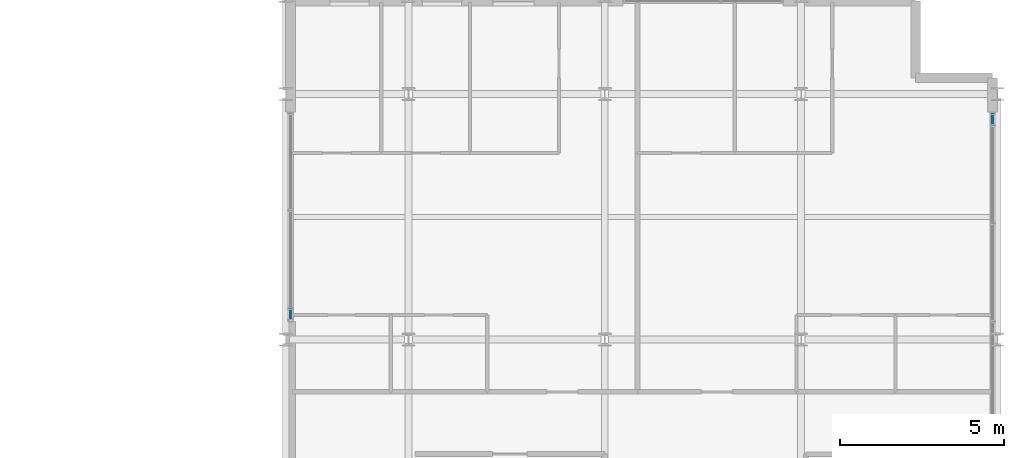
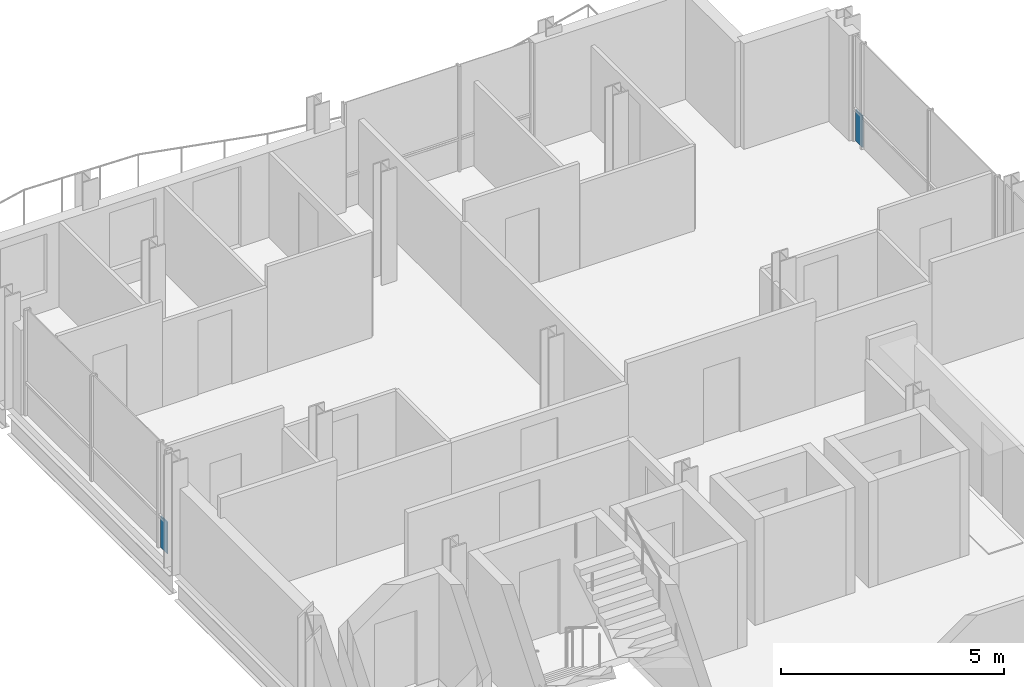
# One storey, part 21 of 27: 2 plates, 2 elements without a shape of their own.
"""IFC4 building model written with IfcOpenShell, lengths in metres."""

import ifcopenshell
import ifcopenshell.guid

model = None  # the IFC model being written
_history = None  # IfcOwnerHistory: only IFC2X3 demands one
_inside = {}  # id of a spatial element -> (the spatial element, [elements in it])
_under = {}  # id of a project, library or spatial element -> (it, [spatial elements below it])
_declared = {}  # id of a project -> (the project, [libraries it declares])
_typed = {}  # id of a type object -> (the type object, [elements of that type])
_made_of = {}  # id of a material, layer set ... -> (it, [elements and type objects made of it])


def new_model(schema):
    """Start an empty IFC model of exactly this schema.

    Asked for "IFC4X3", IfcOpenShell would pick the latest addendum, in which some entities
    have other attributes; the version numbers below select the first issue.
    IFC2X3 requires an IfcOwnerHistory on every rooted entity: one is made here for all.
    """
    global model, _history
    if schema == "IFC4X3":
        model = ifcopenshell.file(schema_version=(4, 3, 0, 0))
    else:
        model = ifcopenshell.file(schema=schema)
    _inside.clear()
    _under.clear()
    _declared.clear()
    _typed.clear()
    _made_of.clear()
    _history = None
    if model.schema == "IFC2X3":
        org = make("IfcOrganization", Name="unknown")
        user = make(
            "IfcPersonAndOrganization",
            ThePerson=make("IfcPerson", FamilyName="unknown"),
            TheOrganization=org,
        )
        app = make(
            "IfcApplication",
            ApplicationDeveloper=org,
            Version="unknown",
            ApplicationFullName="unknown",
            ApplicationIdentifier="unknown",
        )
        _history = make(
            "IfcOwnerHistory",
            OwningUser=user,
            OwningApplication=app,
            ChangeAction="ADDED",
            CreationDate=0,
        )
    return model


def make(cls, **values):
    """One entity of the class cls with the attributes given. An attribute that is None is left unset."""
    return model.create_entity(
        cls, **{name: value for name, value in values.items() if value is not None}
    )


def rooted(cls, **values):
    """An entity with a GlobalId (a new one), such as an element, a storey or a relation."""
    return make(cls, GlobalId=ifcopenshell.guid.new(), OwnerHistory=_history, **values)


def si_unit(unit_type, name, prefix=None):
    """IfcSIUnit, for example si_unit("LENGTHUNIT", "METRE", prefix="MILLI")."""
    return make("IfcSIUnit", UnitType=unit_type, Prefix=prefix, Name=name)


def assignment(units):
    """IfcUnitAssignment: the units of a project."""
    return None if units is None else make("IfcUnitAssignment", Units=units)


def point(xyz):
    """IfcCartesianPoint."""
    return None if xyz is None else make("IfcCartesianPoint", Coordinates=xyz)


def direction(xyz):
    """IfcDirection."""
    return None if xyz is None else make("IfcDirection", DirectionRatios=xyz)


def frame(location, z_axis=None, x_axis=None):
    """IfcAxis2Placement3D, a coordinate frame: its origin and axes. An axis left out is left unset."""
    return make(
        "IfcAxis2Placement3D",
        Location=point(location),
        Axis=direction(z_axis),
        RefDirection=direction(x_axis),
    )


def frame_2d(location, x_axis=None):
    """IfcAxis2Placement2D, a coordinate frame in the plane: its origin and x axis."""
    return make(
        "IfcAxis2Placement2D", Location=point(location), RefDirection=direction(x_axis)
    )


def origin():
    """The frame at (0, 0, 0) with its axes left unset."""
    return frame((0.0, 0.0, 0.0))


def origin_2d():
    """The frame at (0, 0) in the plane with its x axis left unset."""
    return frame_2d((0.0, 0.0))


def place(relative_to, where):
    """IfcLocalPlacement: puts the frame where relative to a parent placement (None: the world)."""
    return make(
        "IfcLocalPlacement", PlacementRelTo=relative_to, RelativePlacement=where
    )


def context(
    kind, dimensions, precision=None, world=None, true_north=None, identifier=None
):
    """IfcGeometricRepresentationContext, for example the 3D "Model" context."""
    return make(
        "IfcGeometricRepresentationContext",
        ContextIdentifier=identifier,
        ContextType=kind,
        CoordinateSpaceDimension=dimensions,
        Precision=precision,
        WorldCoordinateSystem=world,
        TrueNorth=true_north,
    )


def subcontext(parent, identifier, kind, view, scale=None):
    """IfcGeometricRepresentationSubContext, for example "Body" below "Model"."""
    return make(
        "IfcGeometricRepresentationSubContext",
        ContextIdentifier=identifier,
        ContextType=kind,
        ParentContext=parent,
        TargetScale=scale,
        TargetView=view,
    )


def project(units=None, contexts=None):
    """IfcProject with its units and contexts."""
    return rooted(
        "IfcProject",
        Name="project",
        RepresentationContexts=contexts,
        UnitsInContext=assignment(units),
    )


def spatial(cls, under=None, at=None, **own):
    """A site, building, storey or space (cls), placed at a placement, below another one or the project."""
    s = rooted(cls, ObjectPlacement=at, **own)
    if under is not None:
        _under.setdefault(under.id(), (under, []))[1].append(s)
    return s


def profile(cls, at=None, kind="AREA", **sizes):
    """A parametric profile (cls). Its sizes go by their IFC names, for example OverallWidth=200.0."""
    return make(cls, ProfileType=kind, Position=at, **sizes)


def rectangle(**sizes):
    """IfcRectangleProfileDef."""
    return profile("IfcRectangleProfileDef", **sizes)


def extrude(swept, where, along, depth):
    """IfcExtrudedAreaSolid: the profile swept, set in the frame where, extruded along a direction by depth."""
    return make(
        "IfcExtrudedAreaSolid",
        SweptArea=swept,
        Position=where,
        ExtrudedDirection=direction(along),
        Depth=depth,
    )


def shape(context_of_items, identifier, shape_type, items):
    """IfcShapeRepresentation: the items that make up one representation, for example the "Body"."""
    return make(
        "IfcShapeRepresentation",
        ContextOfItems=context_of_items,
        RepresentationIdentifier=identifier,
        RepresentationType=shape_type,
        Items=items,
    )


def material(Name=None, Category=None):
    """IfcMaterial."""
    return make("IfcMaterial", Name=Name, Category=Category)


def layer(
    of_material, thickness, ventilated=None, Name=None, Category=None, Priority=None
):
    """IfcMaterialLayer: one layer of a wall or slab, of a material (None: an air gap)."""
    return make(
        "IfcMaterialLayer",
        Material=of_material,
        LayerThickness=thickness,
        IsVentilated=ventilated,
        Name=Name,
        Category=Category,
        Priority=Priority,
    )


def layer_set(layers, Name=None):
    """IfcMaterialLayerSet."""
    return make("IfcMaterialLayerSet", MaterialLayers=layers, LayerSetName=Name)


def made_of(thing, what):
    """Note that an element or type object is made of a material, layer set ...; save() writes the relation."""
    if what is not None:
        _made_of.setdefault(what.id(), (what, []))[1].append(thing)
    return thing


def type_object(cls, material=None, **own):
    """A type object (cls), such as IfcWallType, which elements share."""
    return made_of(rooted(cls, **own), material)


def element(
    cls,
    number,
    at=None,
    inside=None,
    cuts=None,
    type_object=None,
    material=None,
    context=None,
    identifier="Body",
    shape_type=None,
    held_by="IfcProductDefinitionShape",
    body=None,
    shapes=None,
    **own,
):
    """One element of the class cls, such as IfcWall. Its Tag is "e" and its number.

    at: its placement. inside: the storey or other place that contains it. cuts: it is an
    opening in that element (IfcRelVoidsElement). A single representation is given by context,
    identifier, shape_type and body (its items); several are given by shapes. held_by: the class
    of the entity that holds the representations. save() writes the other relations.
    """
    e = rooted(cls, Tag="e%d" % number, ObjectPlacement=at, **own)
    if body is not None:
        shapes = [shape(context, identifier, shape_type, body)]
    if shapes is not None:
        e.Representation = make(held_by, Representations=shapes)
    if inside is not None:
        _inside.setdefault(inside.id(), (inside, []))[1].append(e)
    if cuts is not None:
        rooted(
            "IfcRelVoidsElement", RelatingBuildingElement=cuts, RelatedOpeningElement=e
        )
    if type_object is not None:
        _typed.setdefault(type_object.id(), (type_object, []))[1].append(e)
    return made_of(e, material)


def aggregate(whole, parts):
    """IfcRelAggregates: a whole, such as a stair, and the parts it consists of."""
    return rooted("IfcRelAggregates", RelatingObject=whole, RelatedObjects=parts)


def save(model, path):
    """Write the relations noted so far, then the file.

    IfcRelAggregates (storeys below a building ...), IfcRelContainedInSpatialStructure (elements
    in a storey), IfcRelDefinesByType, IfcRelAssociatesMaterial and IfcRelDeclares: one each for
    every whole, place, type object, material and project.
    """
    for whole, parts in _under.values():
        aggregate(whole, parts)
    for where, things in _inside.values():
        rooted(
            "IfcRelContainedInSpatialStructure",
            RelatedElements=things,
            RelatingStructure=where,
        )
    for kind, things in _typed.values():
        rooted("IfcRelDefinesByType", RelatedObjects=things, RelatingType=kind)
    for what, things in _made_of.values():
        rooted("IfcRelAssociatesMaterial", RelatedObjects=things, RelatingMaterial=what)
    for by, libraries in _declared.values():
        rooted("IfcRelDeclares", RelatingContext=by, RelatedDefinitions=libraries)
    model.write(path)


model = new_model("IFC4")

# Units and contexts
model_context = context("Model", 3, precision=1e-05, world=origin(), true_north=direction((0.0, 1.0)))
body_context = subcontext(model_context, "Body", "Model", "MODEL_VIEW")
ifc_project = project(units=[si_unit("LENGTHUNIT", "METRE"), si_unit("AREAUNIT", "SQUARE_METRE"), si_unit("VOLUMEUNIT", "CUBIC_METRE"), si_unit("PLANEANGLEUNIT", "RADIAN"), si_unit("MASSUNIT", "GRAM", prefix="KILO")], contexts=[model_context])

# Site, building, storey
site_placement = place(None, origin())
site = spatial("IfcSite", under=ifc_project, at=site_placement, CompositionType="ELEMENT")
building_placement = place(site_placement, origin())
building = spatial("IfcBuilding", under=site, at=building_placement, Name="Brevholm Reach", CompositionType="ELEMENT")
storey_placement = place(building_placement, frame((0.0, 0.0, 195.60009765625)))
storey = spatial("IfcBuildingStorey", under=building, at=storey_placement, Name="L59", CompositionType="ELEMENT", Elevation=195.60009765625)

# Curtain wall, plate
ifc_material_1 = material(Name="Dark Anodised Aluminium 6063-T6 and Solar-Control Glass", Category="aluminium")
ifc_layer_1 = layer(ifc_material_1, 0.1650390625)
ifc_layer_set_1 = layer_set([ifc_layer_1], Name="Dark Anodised Aluminium 6063-T6 and Solar-Control Glass")
curtain_wall_type_1 = type_object("IfcCurtainWallType", Name="CW-04", PredefinedType="NOTDEFINED", material=ifc_layer_set_1)
curtain_wall_1_placement = place(storey_placement, origin())
curtain_wall_1 = element("IfcCurtainWall", 1, at=curtain_wall_1_placement, inside=storey, type_object=curtain_wall_type_1, Name="L59 Curtain Wall CW-04", PredefinedType="NOTDEFINED")
ifc_material_2 = material(Name="Dark Solar-Control Double-Glazed IGU Glass", Category="glass")
ifc_layer_2 = layer(ifc_material_2, 0.028076171875)
ifc_layer_set_2 = layer_set([ifc_layer_2], Name="Dark Solar-Control Double-Glazed IGU Glass")
plate_type = type_object("IfcPlateType", Name="CWP-GLZ-28", PredefinedType="CURTAIN_PANEL", material=ifc_layer_set_2)
plate_1_placement = place(storey_placement, frame((38.39990234375, 16.767578125, 0.0), z_axis=(0.0, 0.0, 1.0), x_axis=(0.0, -1.0, 0.0)))
plate_1 = element("IfcPlate", 2, at=plate_1_placement, type_object=plate_type, Name="CP-01 Glazing Panel 3.1", PredefinedType="CURTAIN_PANEL", context=body_context, shape_type="SweptSolid", body=[
    extrude(rectangle(XDim=0.294921875, YDim=0.028076171875, at=origin_2d()), origin(), (0.0, 0.0, 1.0), 0.864990234375),
])
aggregate(curtain_wall_1, [plate_1])

ifc_material_3 = material(Name="Dark Anodised Aluminium 6063-T6 and Solar-Control Glass", Category="aluminium")
ifc_layer_3 = layer(ifc_material_3, 0.14990234375)
ifc_layer_set_3 = layer_set([ifc_layer_3], Name="Dark Anodised Aluminium 6063-T6 and Solar-Control Glass")
curtain_wall_type_2 = type_object("IfcCurtainWallType", Name="CW-01", PredefinedType="NOTDEFINED", material=ifc_layer_set_3)
curtain_wall_2_placement = place(storey_placement, origin())
curtain_wall_2 = element("IfcCurtainWall", 3, at=curtain_wall_2_placement, inside=storey, type_object=curtain_wall_type_2, Name="L59 Curtain Wall CW-01", PredefinedType="NOTDEFINED")
plate_2_placement = place(storey_placement, frame((59.85009765625, 22.733642578125, 0.0), z_axis=(0.0, 0.0, 1.0), x_axis=(0.0, 1.0, 0.0)))
plate_2 = element("IfcPlate", 4, at=plate_2_placement, type_object=plate_type, Name="CP-01 Glazing Panel 5.1", PredefinedType="CURTAIN_PANEL", context=body_context, shape_type="SweptSolid", body=[
    extrude(rectangle(XDim=0.302490234375, YDim=0.028076171875, at=origin_2d()), origin(), (0.0, 0.0, 1.0), 0.867431640625),
])
aggregate(curtain_wall_2, [plate_2])

save(model, "model.ifc")
